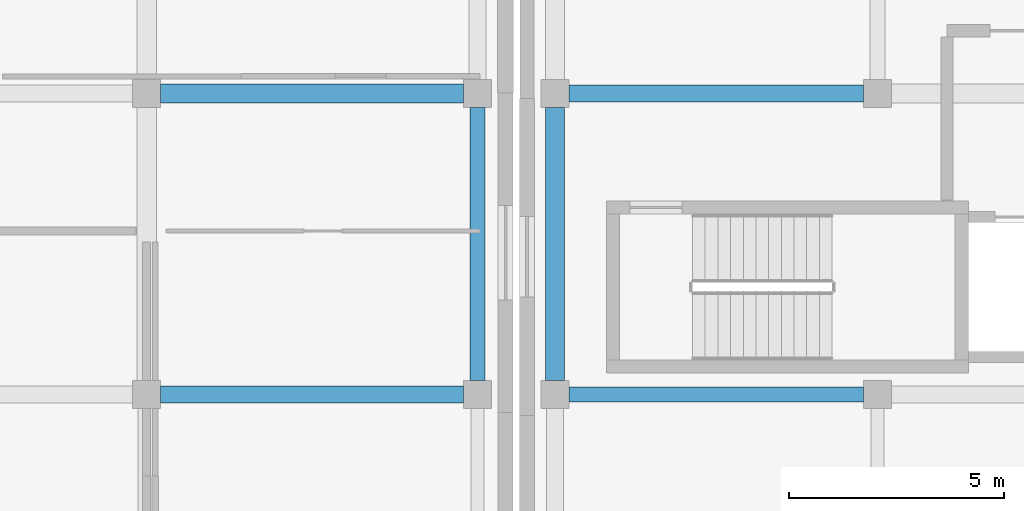
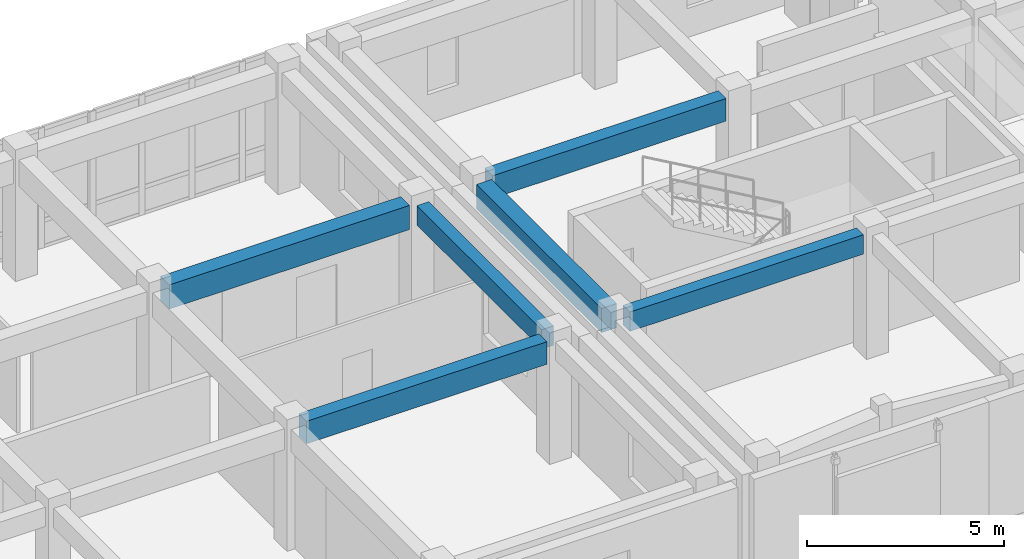
# One storey, part 28 of 146: 6 beams.
"""IFC4 building model written with IfcOpenShell, lengths in metres."""

from ifc_helpers import new_model, si_unit, direction, frame, origin, origin_2d, place, context, subcontext, project, spatial, rectangle, extrude, material, material_profile, profile_set, type_object, element, save


model = new_model("IFC4")

# Units and contexts
model_context = context("Model", 3, precision=1e-05, world=origin(), true_north=direction((0.0, 1.0)))
body_context = subcontext(model_context, "Body", "Model", "MODEL_VIEW")
ifc_project = project(units=[si_unit("LENGTHUNIT", "METRE"), si_unit("AREAUNIT", "SQUARE_METRE"), si_unit("VOLUMEUNIT", "CUBIC_METRE"), si_unit("PLANEANGLEUNIT", "RADIAN"), si_unit("MASSUNIT", "GRAM", prefix="KILO")], contexts=[model_context])

# Site, building, storey
site_placement = place(None, origin())
site = spatial("IfcSite", under=ifc_project, at=site_placement, CompositionType="ELEMENT")
building_placement = place(site_placement, origin())
building = spatial("IfcBuilding", under=site, at=building_placement, Name="Valcora Specialist Clinic", CompositionType="ELEMENT")
storey_placement = place(building_placement, frame((0.0, 0.0, 9.52001953125)))
storey = spatial("IfcBuildingStorey", under=building, at=storey_placement, Name="L02", CompositionType="ELEMENT", Elevation=9.52001953125)

# Beams
ifc_material = material(Name="Concrete C40/50", Category="concrete")
ifc_material_profile_1 = material_profile(ifc_material, rectangle(XDim=0.35009765625, YDim=0.60009765625, at=origin_2d()), Name="RC-BM-350X600")
ifc_profile_set_1 = profile_set([ifc_material_profile_1], Name="Concrete C40/50")
beam_type_1 = type_object("IfcBeamType", Name="TY-BM-RC350X600", PredefinedType="BEAM", material=ifc_profile_set_1)
beam_1_placement = place(storey_placement, frame((52.5, 8.52490234375, 3.43505859375), z_axis=(0.0, 1.0, 0.0), x_axis=(-1.0, 0.0, 0.0)))
element("IfcBeam", 1, at=beam_1_placement, inside=storey, type_object=beam_type_1, Name="Beam BM-L02-1026", PredefinedType="BEAM", context=body_context, shape_type="SweptSolid", body=[
    extrude(rectangle(XDim=0.35009765625, YDim=0.60009765625, at=origin_2d()), origin(), (0.0, 0.0, 1.0), 6.35009765625),
])
beam_2_placement = place(storey_placement, frame((54.625, 8.199951171875, 3.47998046875), z_axis=(1.0, 0.0, 0.0), x_axis=(0.0, 1.0, 0.0)))
element("IfcBeam", 2, at=beam_2_placement, inside=storey, type_object=beam_type_1, Name="Beam BM-L02-1370", PredefinedType="BEAM", context=body_context, shape_type="SweptSolid", body=[
    extrude(rectangle(XDim=0.35009765625, YDim=0.60009765625, at=origin_2d()), origin(), (0.0, 0.0, 1.0), 6.85009765625),
])
ifc_material_profile_2 = material_profile(ifc_material, rectangle(XDim=0.39990234375, YDim=0.699951171875, at=origin_2d()), Name="RC-BM-400X700")
ifc_profile_set_2 = profile_set([ifc_material_profile_2], Name="Concrete C40/50")
beam_type_2 = type_object("IfcBeamType", Name="TY-BM-RC400X700", PredefinedType="BEAM", material=ifc_profile_set_2)
beam_3_placement = place(storey_placement, frame((45.125, 8.199951171875, 3.385009765625), z_axis=(1.0, 0.0, 0.0), x_axis=(0.0, 1.0, 0.0)))
element("IfcBeam", 3, at=beam_3_placement, inside=storey, type_object=beam_type_2, Name="Beam BM-L02-0994", PredefinedType="BEAM", context=body_context, shape_type="SweptSolid", body=[
    extrude(rectangle(XDim=0.39990234375, YDim=0.699951171875, at=origin_2d()), origin(), (0.0, 0.0, 1.0), 7.050048828125),
])
beam_4_placement = place(storey_placement, frame((54.625, 15.199951171875, 3.429931640625), z_axis=(1.0, 0.0, 0.0), x_axis=(0.0, 1.0, 0.0)))
element("IfcBeam", 4, at=beam_4_placement, inside=storey, type_object=beam_type_2, Name="Beam BM-L02-1378", PredefinedType="BEAM", context=body_context, shape_type="SweptSolid", body=[
    extrude(rectangle(XDim=0.39990234375, YDim=0.699951171875, at=origin_2d()), origin(), (0.0, 0.0, 1.0), 6.85009765625),
])
ifc_material_profile_3 = material_profile(ifc_material, rectangle(XDim=0.449951171875, YDim=0.75, at=origin_2d()), Name="RC-BM-450X750")
ifc_profile_set_3 = profile_set([ifc_material_profile_3], Name="Concrete C40/50")
beam_type_3 = type_object("IfcBeamType", Name="TY-BM-RC450X750", PredefinedType="BEAM", material=ifc_profile_set_3)
beam_5_placement = place(storey_placement, frame((45.125, 15.199951171875, 3.35986328125), z_axis=(1.0, 0.0, 0.0), x_axis=(0.0, 1.0, 0.0)))
element("IfcBeam", 5, at=beam_5_placement, inside=storey, type_object=beam_type_3, Name="Beam BM-L02-1001", PredefinedType="BEAM", context=body_context, shape_type="SweptSolid", body=[
    extrude(rectangle(XDim=0.449951171875, YDim=0.75, at=origin_2d()), origin(), (0.0, 0.0, 1.0), 7.050048828125),
])
beam_6_placement = place(storey_placement, frame((54.300048828125, 8.52490234375, 3.405029296875), z_axis=(0.0, 1.0, 0.0), x_axis=(-1.0, 0.0, 0.0)))
element("IfcBeam", 6, at=beam_6_placement, inside=storey, type_object=beam_type_3, Name="Beam BM-L02-1395", PredefinedType="BEAM", context=body_context, shape_type="SweptSolid", body=[
    extrude(rectangle(XDim=0.449951171875, YDim=0.75, at=origin_2d()), origin(), (0.0, 0.0, 1.0), 6.35009765625),
])

save(model, "model.ifc")
